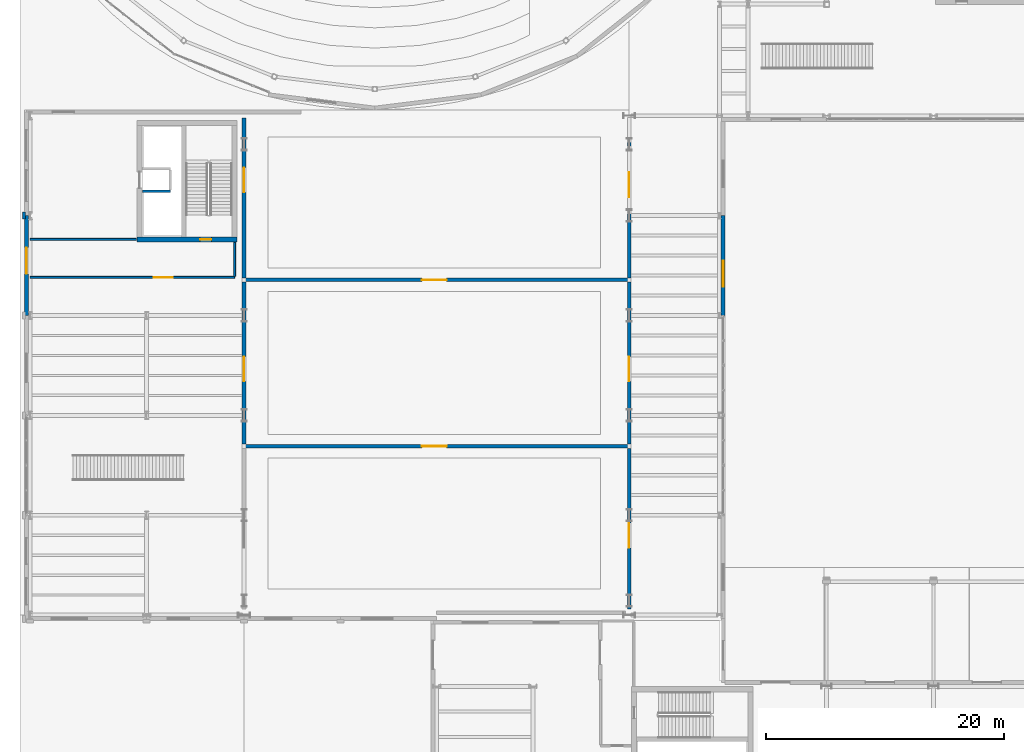
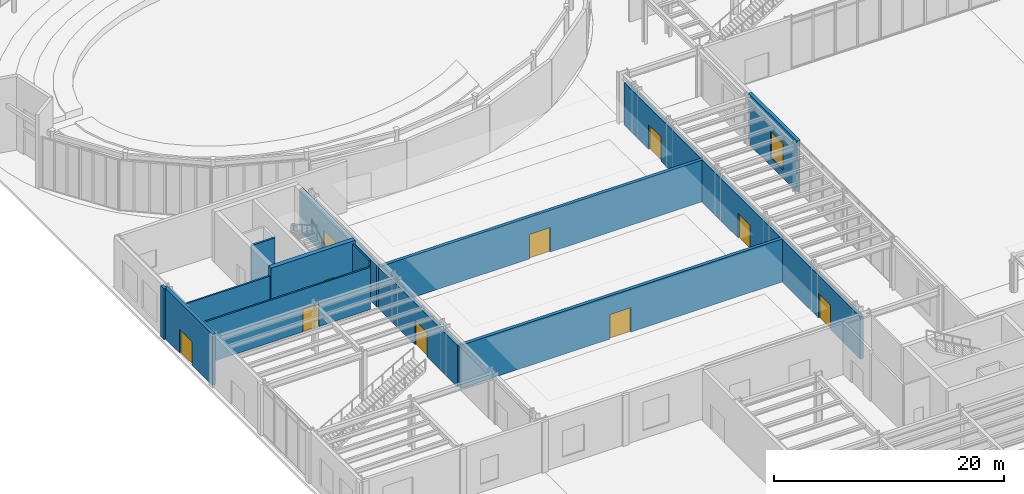
# One storey, part 72 of 94: 15 walls, 10 doors, 1 window, 11 openings.
"""IFC4 building model written with IfcOpenShell, lengths in metres."""

from ifc_helpers import new_model, si_unit, direction, frame, frame_2d, origin, place, context, subcontext, project, spatial, rectangle, extrude, material, layer, layer_set, type_object, element, fill, save


model = new_model("IFC4")

# Units and contexts
model_context = context("Model", 3, precision=1e-05, world=origin(), true_north=direction((0.0, 1.0)))
body_context = subcontext(model_context, "Body", "Model", "MODEL_VIEW")
ifc_project = project(units=[si_unit("LENGTHUNIT", "METRE"), si_unit("AREAUNIT", "SQUARE_METRE"), si_unit("VOLUMEUNIT", "CUBIC_METRE"), si_unit("PLANEANGLEUNIT", "RADIAN"), si_unit("MASSUNIT", "GRAM", prefix="KILO")], contexts=[model_context])

# Site, building, storey
site_placement = place(None, origin())
site = spatial("IfcSite", under=ifc_project, at=site_placement, CompositionType="ELEMENT")
building_placement = place(site_placement, origin())
building = spatial("IfcBuilding", under=site, at=building_placement, Name="Sollismere Congress Hotel", CompositionType="ELEMENT")
storey_placement = place(building_placement, origin())
storey = spatial("IfcBuildingStorey", under=building, at=storey_placement, Name="L00", CompositionType="ELEMENT", Elevation=0.0)

# Wall, opening, door
ifc_material_1 = material(Name="Colorado Buff Sandstone and Limestone Backup C40/50", Category="masonry")
ifc_layer_1 = layer(ifc_material_1, 0.340087890625, Name="Colorado Buff Sandstone and Limestone Backup C40/50")
ifc_layer_set_1 = layer_set([ifc_layer_1], Name="Colorado Buff Sandstone and Limestone Backup C40/50")
wall_type_1 = type_object("IfcWallType", Name="WL-EXT340", PredefinedType="STANDARD", material=ifc_layer_set_1)
wall_1_placement = place(storey_placement, frame((-0.31005859375, 50.0, 0.0), z_axis=(0.0, 0.0, 1.0), x_axis=(0.0, 1.0, 0.0)))
wall_1 = element("IfcWall", 1, at=wall_1_placement, inside=storey, type_object=wall_type_1, Name="Exterior wall EW-L00-099", PredefinedType="STANDARD", context=body_context, shape_type="SweptSolid", body=[
    extrude(rectangle(XDim=8.39990234375, YDim=0.340087890625, at=frame_2d((4.199951171875, 0.0))), origin(), (0.0, 0.0, 1.0), 5.39990234375),
])
opening_1_placement = place(wall_1_placement, frame((3.5, 0.0, 0.0)))
opening_1 = element("IfcOpeningElement", 2, at=opening_1_placement, cuts=wall_1, Name="Opening D-EX-ST05", PredefinedType="OPENING", context=body_context, shape_type="SweptSolid", body=[
    extrude(rectangle(XDim=2.199951171875, YDim=2.5, at=frame_2d((1.10009765625, 1.25))), frame((0.0, 0.179931640625, 0.0), z_axis=(0.0, -1.0, 0.0), x_axis=(1.0, 0.0, 0.0)), (0.0, 0.0, 1.0), 0.360107421875),
])
ifc_material_2 = material(Name="Thermally Broken Bronze-Anodized Aluminum & Laminated Glass", Category="aluminium")
door_type_1 = type_object("IfcDoorType", Name="DR-EX220", OperationType="DOUBLE_DOOR_SINGLE_SWING", PredefinedType="DOOR", material=ifc_material_2)
door_1_placement = place(opening_1_placement, origin())
door_1 = element("IfcDoor", 3, at=door_1_placement, inside=storey, type_object=door_type_1, Name="DOR-D-EX-ST05", OperationType="DOUBLE_DOOR_SINGLE_SWING", OverallHeight=2.5, OverallWidth=2.199951171875, PredefinedType="DOOR", context=body_context, shape_type="SweptSolid", body=[
    extrude(rectangle(XDim=2.199951171875, YDim=2.5, at=frame_2d((1.10009765625, 1.25))), frame((0.0, 0.02490234375, 0.0), z_axis=(0.0, -1.0, 0.0), x_axis=(1.0, 0.0, 0.0)), (0.0, 0.0, 1.0), 0.050048828125),
])
fill(opening_1, door_1)

# Wall, opening, window
wall_2_placement = place(storey_placement, frame((58.31005859375, 50.0, 0.0), z_axis=(0.0, 0.0, 1.0), x_axis=(0.0, 1.0, 0.0)))
wall_2 = element("IfcWall", 4, at=wall_2_placement, inside=storey, type_object=wall_type_1, Name="Exterior wall EW-L00-115", PredefinedType="STANDARD", context=body_context, shape_type="SweptSolid", body=[
    extrude(rectangle(XDim=8.39990234375, YDim=0.340087890625, at=frame_2d((4.199951171875, 0.0))), origin(), (0.0, 0.0, 1.0), 5.39990234375),
])
opening_2_placement = place(wall_2_placement, frame((2.39990234375, 0.0, 0.85009765625)))
opening_2 = element("IfcOpeningElement", 5, at=opening_2_placement, cuts=wall_2, Name="Opening W-L00-106", PredefinedType="OPENING", context=body_context, shape_type="SweptSolid", body=[
    extrude(rectangle(XDim=2.199951171875, YDim=2.800048828125, at=frame_2d((1.10009765625, 1.39990234375))), frame((0.0, 0.179931640625, 0.0), z_axis=(0.0, -1.0, 0.0), x_axis=(1.0, 0.0, 0.0)), (0.0, 0.0, 1.0), 0.360107421875),
])
ifc_material_3 = material(Name="Thermally Broken Bronze Aluminum & Low-E Glass", Category="aluminium")
window_type = type_object("IfcWindowType", Name="WN-A220x280", PartitioningType="SINGLE_PANEL", PredefinedType="WINDOW", material=ifc_material_3)
window_placement = place(opening_2_placement, origin())
window = element("IfcWindow", 6, at=window_placement, inside=storey, type_object=window_type, Name="WIN-W-L00-106", OverallHeight=2.800048828125, OverallWidth=2.199951171875, PartitioningType="SINGLE_PANEL", PredefinedType="WINDOW", context=body_context, shape_type="SweptSolid", body=[
    extrude(rectangle(XDim=2.199951171875, YDim=2.800048828125, at=frame_2d((1.10009765625, 1.39990234375))), frame((0.0, 0.030029296875, 0.0), z_axis=(0.0, -1.0, 0.0), x_axis=(1.0, 0.0, 0.0)), (0.0, 0.0, 1.0), 0.06005859375),
])
fill(opening_2, window)

# Walls
ifc_material_4 = material(Name="Carved Travertine Pilaster & Frieze Assembly", Category="masonry")
ifc_layer_2 = layer(ifc_material_4, 0.260009765625, Name="Carved Travertine Pilaster & Frieze Assembly")
ifc_layer_set_2 = layer_set([ifc_layer_2], Name="Carved Travertine Pilaster & Frieze Assembly")
wall_type_2 = type_object("IfcWallType", Name="WL-PIL280", PredefinedType="ELEMENTEDWALL", material=ifc_layer_set_2)
wall_3_placement = place(storey_placement, frame((-0.52001953125, 58.10009765625, 0.0), z_axis=(0.0, 0.0, 1.0), x_axis=(0.0, 1.0, 0.0)))
element("IfcWall", 7, at=wall_3_placement, inside=storey, type_object=wall_type_2, Name="Exterior wall EW-L00-102", PredefinedType="ELEMENTEDWALL", context=body_context, shape_type="SweptSolid", body=[
    extrude(rectangle(XDim=0.599853515625, YDim=0.260009765625, at=frame_2d((0.2998046875, 0.0))), origin(), (0.0, 0.0, 1.0), 5.39990234375),
])
ifc_material_5 = material(Name="Moisture-Resistant Shaft Gypsum Assembly")
ifc_layer_3 = layer(ifc_material_5, 0.199951171875, Name="Moisture-Resistant Shaft Gypsum Assembly")
ifc_layer_set_3 = layer_set([ifc_layer_3], Name="Moisture-Resistant Shaft Gypsum Assembly")
wall_type_3 = type_object("IfcWallType", Name="WL-PLM200", PredefinedType="PLUMBINGWALL", material=ifc_layer_set_3)
wall_4_placement = place(storey_placement, frame((9.43701171875, 60.455078125, 0.0), z_axis=(0.0, 0.0, 1.0), x_axis=(1.0, 0.0, 0.0)))
element("IfcWall", 8, at=wall_4_placement, inside=storey, type_object=wall_type_3, Name="Interior wall IW-L00-0644", PredefinedType="PLUMBINGWALL", context=body_context, shape_type="SweptSolid", body=[
    extrude(rectangle(XDim=2.363037109375, YDim=0.199951171875, at=frame_2d((1.181640625, 0.0))), origin(), (0.0, 0.0, 1.0), 5.090087890625),
])

# Wall, opening, door
ifc_material_6 = material(Name="Fire-Rated Acoustic Gypsum Partition")
ifc_layer_4 = layer(ifc_material_6, 0.1650390625, Name="Fire-Rated Acoustic Gypsum Partition")
ifc_layer_set_4 = layer_set([ifc_layer_4], Name="Fire-Rated Acoustic Gypsum Partition")
wall_type_4 = type_object("IfcWallType", Name="WL-PRT165R", PredefinedType="PARTITIONING", material=ifc_layer_set_4)
wall_5_placement = place(storey_placement, frame((0.0, 53.199951171875, 0.0), z_axis=(0.0, 0.0, 1.0), x_axis=(1.0, 0.0, 0.0)))
wall_5 = element("IfcWall", 9, at=wall_5_placement, inside=storey, type_object=wall_type_4, Name="Interior wall IW-L00-0796", PredefinedType="PARTITIONING", context=body_context, shape_type="SweptSolid", body=[
    extrude(rectangle(XDim=17.199951171875, YDim=0.1650390625, at=frame_2d((8.60009765625, 0.0))), origin(), (0.0, 0.0, 1.0), 4.47998046875),
])
opening_3_placement = place(wall_5_placement, frame((10.39990234375, 0.0, 0.0)))
opening_3 = element("IfcOpeningElement", 10, at=opening_3_placement, cuts=wall_5, Name="Opening D-L00-0272", PredefinedType="OPENING", context=body_context, shape_type="SweptSolid", body=[
    extrude(rectangle(XDim=1.60009765625, YDim=2.39990234375, at=frame_2d((0.800048828125, 1.199951171875))), frame((0.0, 0.092529296875, 0.0), z_axis=(0.0, -1.0, 0.0), x_axis=(1.0, 0.0, 0.0)), (0.0, 0.0, 1.0), 0.18505859375),
])
ifc_material_7 = material(Name="Acoustic Oak Double Meeting Door")
door_type_2 = type_object("IfcDoorType", Name="DR-MT160", OperationType="NOTDEFINED", PredefinedType="DOOR", material=ifc_material_7)
door_2_placement = place(opening_3_placement, origin())
door_2 = element("IfcDoor", 11, at=door_2_placement, inside=storey, type_object=door_type_2, Name="Interior door D-L00-0272", OperationType="DOUBLE_DOOR_SINGLE_SWING", OverallHeight=2.39990234375, OverallWidth=1.60009765625, PredefinedType="DOOR", context=body_context, shape_type="SweptSolid", body=[
    extrude(rectangle(XDim=1.60009765625, YDim=2.39990234375, at=frame_2d((0.800048828125, 1.199951171875))), frame((0.0, 0.02490234375, 0.0), z_axis=(0.0, -1.0, 0.0), x_axis=(1.0, 0.0, 0.0)), (0.0, 0.0, 1.0), 0.050048828125),
])
fill(opening_3, door_2)

# Walls
wall_6_placement = place(storey_placement, frame((0.0, 56.39990234375, 0.0), z_axis=(0.0, 0.0, 1.0), x_axis=(1.0, 0.0, 0.0)))
element("IfcWall", 12, at=wall_6_placement, inside=storey, type_object=wall_type_4, Name="Interior wall IW-L00-0802", PredefinedType="PARTITIONING", context=body_context, shape_type="SweptSolid", body=[
    extrude(rectangle(XDim=8.949951171875, YDim=0.1650390625, at=frame_2d((4.47509765625, 0.0))), origin(), (0.0, 0.0, 1.0), 4.47998046875),
])
wall_7_placement = place(storey_placement, frame((17.199951171875, 53.29443359375, 0.0), z_axis=(0.0, 0.0, 1.0), x_axis=(0.0, 1.0, 0.0)))
element("IfcWall", 13, at=wall_7_placement, inside=storey, type_object=wall_type_4, Name="Interior wall IW-L00-0810", PredefinedType="PARTITIONING", context=body_context, shape_type="SweptSolid", body=[
    extrude(rectangle(XDim=2.85546875, YDim=0.1650390625, at=frame_2d((1.427734375, 0.0))), origin(), (0.0, 0.0, 1.0), 5.090087890625),
])

# Wall, opening, door
ifc_material_8 = material(Name="Concrete C50/60", Category="concrete")
ifc_layer_5 = layer(ifc_material_8, 0.449951171875, Name="Concrete C50/60")
ifc_layer_set_5 = layer_set([ifc_layer_5], Name="Concrete C50/60")
wall_type_5 = type_object("IfcWallType", Name="WL-SHR450", PredefinedType="SHEAR", material=ifc_layer_set_5)
wall_8_placement = place(storey_placement, frame((8.97509765625, 56.39990234375, 0.0), z_axis=(0.0, 0.0, 1.0), x_axis=(1.0, 0.0, 0.0)))
wall_8 = element("IfcWall", 14, at=wall_8_placement, inside=storey, type_object=wall_type_5, Name="Interior wall IW-L00-0639", PredefinedType="SHEAR", context=body_context, shape_type="SweptSolid", body=[
    extrude(rectangle(XDim=8.449951171875, YDim=0.449951171875, at=frame_2d((4.22509765625, 0.0))), origin(), (0.0, 0.0, 1.0), 5.39990234375),
])
opening_4_placement = place(wall_8_placement, frame((5.324951171875, 0.0, 0.0)))
opening_4 = element("IfcOpeningElement", 15, at=opening_4_placement, cuts=wall_8, Name="Opening D-ST-05-L00", PredefinedType="OPENING", context=body_context, shape_type="SweptSolid", body=[
    extrude(rectangle(XDim=0.949951171875, YDim=2.199951171875, at=frame_2d((0.47509765625, 1.10009765625))), frame((0.0, 0.23486328125, 0.0), z_axis=(0.0, -1.0, 0.0), x_axis=(1.0, 0.0, 0.0)), (0.0, 0.0, 1.0), 0.469970703125),
])
ifc_material_9 = material(Name="Fire-Rated Insulated Steel Door", Category="steel")
door_type_3 = type_object("IfcDoorType", Name="DR-FD90", OperationType="NOTDEFINED", PredefinedType="DOOR", material=ifc_material_9)
door_3_placement = place(opening_4_placement, frame((0.949951171875, 0.0, 0.0), z_axis=(0.0, 0.0, 1.0), x_axis=(-1.0, 0.0, 0.0)))
door_3 = element("IfcDoor", 16, at=door_3_placement, inside=storey, type_object=door_type_3, Name="Exit stair fire door D-ST-05-L00", OperationType="SINGLE_SWING_RIGHT", OverallHeight=2.199951171875, OverallWidth=0.949951171875, PredefinedType="DOOR", context=body_context, shape_type="SweptSolid", body=[
    extrude(rectangle(XDim=0.949951171875, YDim=2.199951171875, at=frame_2d((0.47509765625, 1.10009765625))), frame((0.0, 0.02490234375, 0.0), z_axis=(0.0, -1.0, 0.0), x_axis=(1.0, 0.0, 0.0)), (0.0, 0.0, 1.0), 0.050048828125),
])
fill(opening_4, door_3)

ifc_material_10 = material(Name="Acoustic Double-Wythe Concrete Block & Gypsum C40/50", Category="concrete")
ifc_layer_6 = layer(ifc_material_10, 0.320068359375, Name="Acoustic Double-Wythe Concrete Block & Gypsum C40/50")
ifc_layer_set_6 = layer_set([ifc_layer_6], Name="Acoustic Double-Wythe Concrete Block & Gypsum C40/50")
wall_type_6 = type_object("IfcWallType", Name="WL-SLD320I", PredefinedType="PARTITIONING", material=ifc_layer_set_6)
wall_9_placement = place(storey_placement, frame((18.0, 39.0, 0.0), z_axis=(0.0, 0.0, 1.0), x_axis=(1.0, 0.0, 0.0)))
wall_9 = element("IfcWall", 17, at=wall_9_placement, inside=storey, type_object=wall_type_6, Name="Interior wall IW-L00-0792", PredefinedType="PARTITIONING", context=body_context, shape_type="SweptSolid", body=[
    extrude(rectangle(XDim=32.39990234375, YDim=0.320068359375, at=frame_2d((16.199951171875, 0.0))), origin(), (0.0, 0.0, 1.0), 4.56396484375),
])
opening_5_placement = place(wall_9_placement, frame((14.949951171875, 0.0, 0.0)))
opening_5 = element("IfcOpeningElement", 18, at=opening_5_placement, cuts=wall_9, Name="Opening D-L00-0270", PredefinedType="OPENING", context=body_context, shape_type="SweptSolid", body=[
    extrude(rectangle(XDim=2.10009765625, YDim=2.60009765625, at=frame_2d((1.050048828125, 1.300048828125))), frame((0.0, 0.169921875, 0.0), z_axis=(0.0, -1.0, 0.0), x_axis=(1.0, 0.0, 0.0)), (0.0, 0.0, 1.0), 0.340087890625),
])
ifc_material_11 = material(Name="Acoustic Walnut Double Ballroom Door")
door_type_4 = type_object("IfcDoorType", Name="DR-BL210", OperationType="NOTDEFINED", PredefinedType="DOOR", material=ifc_material_11)
door_4_placement = place(opening_5_placement, origin())
door_4 = element("IfcDoor", 19, at=door_4_placement, inside=storey, type_object=door_type_4, Name="Interior door D-L00-0270", OperationType="DOUBLE_DOOR_SINGLE_SWING", OverallHeight=2.60009765625, OverallWidth=2.10009765625, PredefinedType="DOOR", context=body_context, shape_type="SweptSolid", body=[
    extrude(rectangle(XDim=2.10009765625, YDim=2.60009765625, at=frame_2d((1.050048828125, 1.300048828125))), frame((0.0, 0.02490234375, 0.0), z_axis=(0.0, -1.0, 0.0), x_axis=(1.0, 0.0, 0.0)), (0.0, 0.0, 1.0), 0.050048828125),
])
fill(opening_5, door_4)

wall_10_placement = place(storey_placement, frame((18.0, 53.0, 0.0), z_axis=(0.0, 0.0, 1.0), x_axis=(1.0, 0.0, 0.0)))
wall_10 = element("IfcWall", 20, at=wall_10_placement, inside=storey, type_object=wall_type_6, Name="Interior wall IW-L00-0795", PredefinedType="PARTITIONING", context=body_context, shape_type="SweptSolid", body=[
    extrude(rectangle(XDim=32.39990234375, YDim=0.320068359375, at=frame_2d((16.199951171875, 0.0))), origin(), (0.0, 0.0, 1.0), 4.4189453125),
])
opening_6_placement = place(wall_10_placement, frame((14.949951171875, 0.0, 0.0)))
opening_6 = element("IfcOpeningElement", 21, at=opening_6_placement, cuts=wall_10, Name="Opening D-L00-0271", PredefinedType="OPENING", context=body_context, shape_type="SweptSolid", body=[
    extrude(rectangle(XDim=2.10009765625, YDim=2.60009765625, at=frame_2d((1.050048828125, 1.300048828125))), frame((0.0, 0.169921875, 0.0), z_axis=(0.0, -1.0, 0.0), x_axis=(1.0, 0.0, 0.0)), (0.0, 0.0, 1.0), 0.340087890625),
])
door_5_placement = place(opening_6_placement, origin())
door_5 = element("IfcDoor", 22, at=door_5_placement, inside=storey, type_object=door_type_4, Name="Interior door D-L00-0271", OperationType="DOUBLE_DOOR_SINGLE_SWING", OverallHeight=2.60009765625, OverallWidth=2.10009765625, PredefinedType="DOOR", context=body_context, shape_type="SweptSolid", body=[
    extrude(rectangle(XDim=2.10009765625, YDim=2.60009765625, at=frame_2d((1.050048828125, 1.300048828125))), frame((0.0, 0.02490234375, 0.0), z_axis=(0.0, -1.0, 0.0), x_axis=(1.0, 0.0, 0.0)), (0.0, 0.0, 1.0), 0.050048828125),
])
fill(opening_6, door_5)

wall_11_placement = place(storey_placement, frame((18.0, 39.172119140625, 0.0), z_axis=(0.0, 0.0, 1.0), x_axis=(0.0, 1.0, 0.0)))
wall_11 = element("IfcWall", 23, at=wall_11_placement, inside=storey, type_object=wall_type_6, Name="Interior wall IW-L00-0812", PredefinedType="PARTITIONING", context=body_context, shape_type="SweptSolid", body=[
    extrude(rectangle(XDim=13.65576171875, YDim=0.320068359375, at=frame_2d((6.827880859375, 0.0))), origin(), (0.0, 0.0, 1.0), 4.4189453125),
])
opening_7_placement = place(wall_11_placement, frame((5.278076171875, 0.0, 0.0)))
opening_7 = element("IfcOpeningElement", 24, at=opening_7_placement, cuts=wall_11, Name="Opening D-L00-0282", PredefinedType="OPENING", context=body_context, shape_type="SweptSolid", body=[
    extrude(rectangle(XDim=2.10009765625, YDim=2.60009765625, at=frame_2d((1.050048828125, 1.300048828125))), frame((0.0, 0.169921875, 0.0), z_axis=(0.0, -1.0, 0.0), x_axis=(1.0, 0.0, 0.0)), (0.0, 0.0, 1.0), 0.340087890625),
])
door_6_placement = place(opening_7_placement, origin())
door_6 = element("IfcDoor", 25, at=door_6_placement, inside=storey, type_object=door_type_4, Name="Interior door D-L00-0282", OperationType="DOUBLE_DOOR_SINGLE_SWING", OverallHeight=2.60009765625, OverallWidth=2.10009765625, PredefinedType="DOOR", context=body_context, shape_type="SweptSolid", body=[
    extrude(rectangle(XDim=2.10009765625, YDim=2.60009765625, at=frame_2d((1.050048828125, 1.300048828125))), frame((0.0, 0.02490234375, 0.0), z_axis=(0.0, -1.0, 0.0), x_axis=(1.0, 0.0, 0.0)), (0.0, 0.0, 1.0), 0.050048828125),
])
fill(opening_7, door_6)

wall_12_placement = place(storey_placement, frame((18.0, 53.172119140625, 0.0), z_axis=(0.0, 0.0, 1.0), x_axis=(0.0, 1.0, 0.0)))
wall_12 = element("IfcWall", 26, at=wall_12_placement, inside=storey, type_object=wall_type_6, Name="Interior wall IW-L00-0813", PredefinedType="PARTITIONING", context=body_context, shape_type="SweptSolid", body=[
    extrude(rectangle(XDim=13.427978515625, YDim=0.320068359375, at=frame_2d((6.7138671875, 0.0))), origin(), (0.0, 0.0, 1.0), 4.4189453125),
])
opening_8_placement = place(wall_12_placement, frame((7.177978515625, 0.0, 0.0)))
opening_8 = element("IfcOpeningElement", 27, at=opening_8_placement, cuts=wall_12, Name="Opening D-L00-0283", PredefinedType="OPENING", context=body_context, shape_type="SweptSolid", body=[
    extrude(rectangle(XDim=2.10009765625, YDim=2.60009765625, at=frame_2d((1.050048828125, 1.300048828125))), frame((0.0, 0.169921875, 0.0), z_axis=(0.0, -1.0, 0.0), x_axis=(1.0, 0.0, 0.0)), (0.0, 0.0, 1.0), 0.340087890625),
])
door_7_placement = place(opening_8_placement, origin())
door_7 = element("IfcDoor", 28, at=door_7_placement, inside=storey, type_object=door_type_4, Name="Interior door D-L00-0283", OperationType="DOUBLE_DOOR_SINGLE_SWING", OverallHeight=2.60009765625, OverallWidth=2.10009765625, PredefinedType="DOOR", context=body_context, shape_type="SweptSolid", body=[
    extrude(rectangle(XDim=2.10009765625, YDim=2.60009765625, at=frame_2d((1.050048828125, 1.300048828125))), frame((0.0, 0.02490234375, 0.0), z_axis=(0.0, -1.0, 0.0), x_axis=(1.0, 0.0, 0.0)), (0.0, 0.0, 1.0), 0.050048828125),
])
fill(opening_8, door_7)

wall_13_placement = place(storey_placement, frame((50.39990234375, 25.300048828125, 0.0), z_axis=(0.0, 0.0, 1.0), x_axis=(0.0, 1.0, 0.0)))
wall_13 = element("IfcWall", 29, at=wall_13_placement, inside=storey, type_object=wall_type_6, Name="Interior wall IW-L00-0816", PredefinedType="PARTITIONING", context=body_context, shape_type="SweptSolid", body=[
    extrude(rectangle(XDim=13.52783203125, YDim=0.320068359375, at=frame_2d((6.763916015625, 0.0))), origin(), (0.0, 0.0, 1.0), 4.5029296875),
])
opening_9_placement = place(wall_13_placement, frame((5.14990234375, 0.0, 0.0)))
opening_9 = element("IfcOpeningElement", 30, at=opening_9_placement, cuts=wall_13, Name="Opening D-L00-0284", PredefinedType="OPENING", context=body_context, shape_type="SweptSolid", body=[
    extrude(rectangle(XDim=2.10009765625, YDim=2.60009765625, at=frame_2d((1.050048828125, 1.300048828125))), frame((0.0, 0.169921875, 0.0), z_axis=(0.0, -1.0, 0.0), x_axis=(1.0, 0.0, 0.0)), (0.0, 0.0, 1.0), 0.340087890625),
])
door_8_placement = place(opening_9_placement, origin())
door_8 = element("IfcDoor", 31, at=door_8_placement, inside=storey, type_object=door_type_4, Name="Interior door D-L00-0284", OperationType="DOUBLE_DOOR_SINGLE_SWING", OverallHeight=2.60009765625, OverallWidth=2.10009765625, PredefinedType="DOOR", context=body_context, shape_type="SweptSolid", body=[
    extrude(rectangle(XDim=2.10009765625, YDim=2.60009765625, at=frame_2d((1.050048828125, 1.300048828125))), frame((0.0, 0.02490234375, 0.0), z_axis=(0.0, -1.0, 0.0), x_axis=(1.0, 0.0, 0.0)), (0.0, 0.0, 1.0), 0.050048828125),
])
fill(opening_9, door_8)

wall_14_placement = place(storey_placement, frame((50.39990234375, 39.172119140625, 0.0), z_axis=(0.0, 0.0, 1.0), x_axis=(0.0, 1.0, 0.0)))
wall_14 = element("IfcWall", 32, at=wall_14_placement, inside=storey, type_object=wall_type_6, Name="Interior wall IW-L00-0817", PredefinedType="PARTITIONING", context=body_context, shape_type="SweptSolid", body=[
    extrude(rectangle(XDim=13.65576171875, YDim=0.320068359375, at=frame_2d((6.827880859375, 0.0))), origin(), (0.0, 0.0, 1.0), 4.5029296875),
])
opening_10_placement = place(wall_14_placement, frame((5.278076171875, 0.0, 0.0)))
opening_10 = element("IfcOpeningElement", 33, at=opening_10_placement, cuts=wall_14, Name="Opening D-L00-0285", PredefinedType="OPENING", context=body_context, shape_type="SweptSolid", body=[
    extrude(rectangle(XDim=2.10009765625, YDim=2.60009765625, at=frame_2d((1.050048828125, 1.300048828125))), frame((0.0, 0.169921875, 0.0), z_axis=(0.0, -1.0, 0.0), x_axis=(1.0, 0.0, 0.0)), (0.0, 0.0, 1.0), 0.340087890625),
])
door_9_placement = place(opening_10_placement, origin())
door_9 = element("IfcDoor", 34, at=door_9_placement, inside=storey, type_object=door_type_4, Name="Interior door D-L00-0285", OperationType="DOUBLE_DOOR_SINGLE_SWING", OverallHeight=2.60009765625, OverallWidth=2.10009765625, PredefinedType="DOOR", context=body_context, shape_type="SweptSolid", body=[
    extrude(rectangle(XDim=2.10009765625, YDim=2.60009765625, at=frame_2d((1.050048828125, 1.300048828125))), frame((0.0, 0.02490234375, 0.0), z_axis=(0.0, -1.0, 0.0), x_axis=(1.0, 0.0, 0.0)), (0.0, 0.0, 1.0), 0.050048828125),
])
fill(opening_10, door_9)

wall_15_placement = place(storey_placement, frame((50.39990234375, 53.172119140625, 0.0), z_axis=(0.0, 0.0, 1.0), x_axis=(0.0, 1.0, 0.0)))
wall_15 = element("IfcWall", 35, at=wall_15_placement, inside=storey, type_object=wall_type_6, Name="Interior wall IW-L00-0818", PredefinedType="PARTITIONING", context=body_context, shape_type="SweptSolid", body=[
    extrude(rectangle(XDim=13.1279296875, YDim=0.320068359375, at=frame_2d((6.56396484375, 0.0))), origin(), (0.0, 0.0, 1.0), 4.5029296875),
])
opening_11_placement = place(wall_15_placement, frame((6.778076171875, 0.0, 0.0)))
opening_11 = element("IfcOpeningElement", 36, at=opening_11_placement, cuts=wall_15, Name="Opening D-L00-0286", PredefinedType="OPENING", context=body_context, shape_type="SweptSolid", body=[
    extrude(rectangle(XDim=2.10009765625, YDim=2.60009765625, at=frame_2d((1.050048828125, 1.300048828125))), frame((0.0, 0.169921875, 0.0), z_axis=(0.0, -1.0, 0.0), x_axis=(1.0, 0.0, 0.0)), (0.0, 0.0, 1.0), 0.340087890625),
])
door_10_placement = place(opening_11_placement, origin())
door_10 = element("IfcDoor", 37, at=door_10_placement, inside=storey, type_object=door_type_4, Name="Interior door D-L00-0286", OperationType="DOUBLE_DOOR_SINGLE_SWING", OverallHeight=2.60009765625, OverallWidth=2.10009765625, PredefinedType="DOOR", context=body_context, shape_type="SweptSolid", body=[
    extrude(rectangle(XDim=2.10009765625, YDim=2.60009765625, at=frame_2d((1.050048828125, 1.300048828125))), frame((0.0, 0.02490234375, 0.0), z_axis=(0.0, -1.0, 0.0), x_axis=(1.0, 0.0, 0.0)), (0.0, 0.0, 1.0), 0.050048828125),
])
fill(opening_11, door_10)

save(model, "model.ifc")
